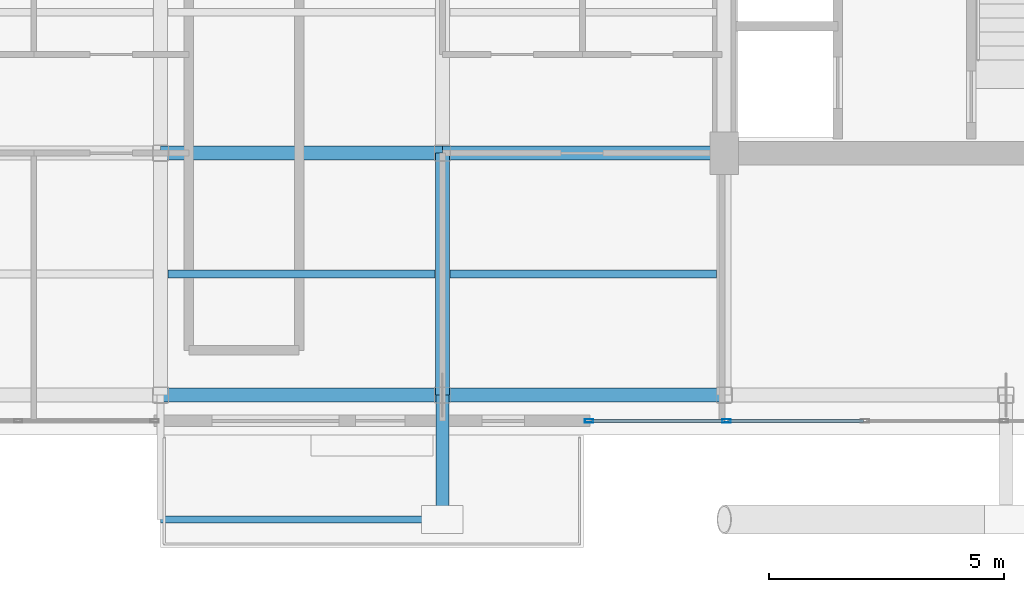
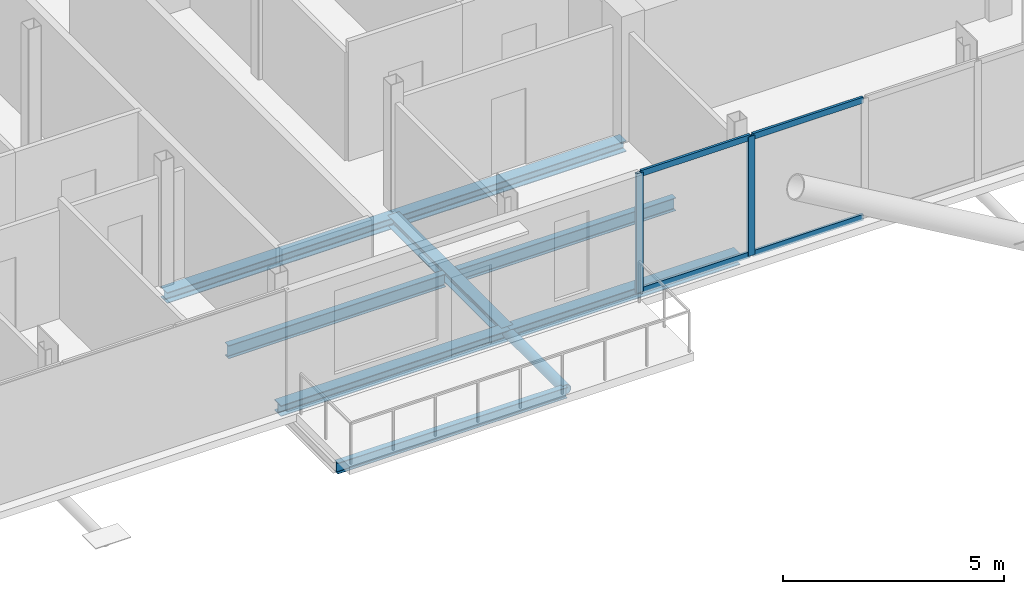
# One storey, part 4 of 18: 8 beams, 7 members, 1 element without a shape of its own.
"""IFC4 building model written with IfcOpenShell, lengths in metres."""

from ifc_helpers import new_model, si_unit, direction, frame, origin, origin_2d, place, context, subcontext, project, spatial, hollow_rectangle, hollow_circle, i_section, extrude, material, layer, layer_set, material_profile, profile_set, type_object, element, aggregate, save


model = new_model("IFC4")

# Units and contexts
model_context = context("Model", 3, precision=1e-05, world=origin(), true_north=direction((0.0, 1.0)))
body_context = subcontext(model_context, "Body", "Model", "MODEL_VIEW")
ifc_project = project(units=[si_unit("LENGTHUNIT", "METRE"), si_unit("AREAUNIT", "SQUARE_METRE"), si_unit("VOLUMEUNIT", "CUBIC_METRE"), si_unit("PLANEANGLEUNIT", "RADIAN"), si_unit("MASSUNIT", "GRAM", prefix="KILO"), si_unit("THERMODYNAMICTEMPERATUREUNIT", "KELVIN"), si_unit("POWERUNIT", "WATT")], contexts=[model_context])

# Site, building, storey
site_placement = place(None, origin())
site = spatial("IfcSite", under=ifc_project, at=site_placement, CompositionType="ELEMENT")
building_placement = place(site_placement, origin())
building = spatial("IfcBuilding", under=site, at=building_placement, Name="Svarakhadi Broadcast Tower", CompositionType="ELEMENT")
storey_placement = place(building_placement, frame((0.0, 0.0, 250.199951171875)))
storey = spatial("IfcBuildingStorey", under=building, at=storey_placement, Name="L62", CompositionType="ELEMENT", Elevation=250.199951171875)

# Beams
ifc_material_1 = material(Name="Steel S355J2 (IS 2062 E350C)", Category="steel")
ifc_material_profile_1 = material_profile(ifc_material_1, i_section(OverallWidth=0.169921875, OverallDepth=0.360107421875, WebThickness=0.008056640625, FlangeThickness=0.0126953125, FilletRadius=0.01806640625, at=origin_2d()), Name="NPB 360x170x57")
ifc_profile_set_1 = profile_set([ifc_material_profile_1], Name="Steel S355J2 (IS 2062 E350C)")
beam_type_1 = type_object("IfcBeamType", Name="Beam_NPB360", PredefinedType="BEAM", material=ifc_profile_set_1)
for number, where, z_axis, x_axis, name in (
    (1, (12.159912109375, 3.425048828125, -0.3798828125), (1.0, 0.0, 0.0), (0.0, 1.0, 0.0), "L62 Secondary Composite Beam SB007"),
    (2, (18.159912109375, 3.425048828125, -0.3798828125), (1.0, 0.0, 0.0), (0.0, 1.0, 0.0), "L62 Secondary Composite Beam SB010"),
):
    element("IfcBeam", number, at=place(storey_placement, frame(where, z_axis=z_axis, x_axis=x_axis)), inside=storey, type_object=beam_type_1, Name=name, PredefinedType="BEAM", context=body_context, shape_type="SweptSolid", body=[
        extrude(i_section(OverallWidth=0.169921875, OverallDepth=0.360107421875, WebThickness=0.008056640625, FlangeThickness=0.0126953125, FilletRadius=0.01806640625, at=origin_2d()), origin(), (0.0, 0.0, 1.0), 5.68017578125),
    ])

# Curtain wall, members
ifc_material_2 = material(Name="Anodised Bronze Aluminium AA 6063-T6", Category="aluminium")
ifc_layer = layer(ifc_material_2, 0.179931640625)
ifc_layer_set = layer_set([ifc_layer], Name="Anodised Bronze Aluminium AA 6063-T6")
curtain_wall_type = type_object("IfcCurtainWallType", Name="CW_Sys_05", PredefinedType="NOTDEFINED", material=ifc_layer_set)
curtain_wall_placement = place(storey_placement, origin())
curtain_wall = element("IfcCurtainWall", 3, at=curtain_wall_placement, inside=storey, type_object=curtain_wall_type, Name="L62 South Curtain Wall 16", PredefinedType="NOTDEFINED")
ifc_material_profile_2 = material_profile(ifc_material_2, hollow_rectangle(XDim=0.070068359375, YDim=0.179931640625, WallThickness=0.005615234375, at=origin_2d()), Name="ALU MULLION 180x70x6")
ifc_profile_set_2 = profile_set([ifc_material_profile_2], Name="Anodised Bronze Aluminium AA 6063-T6")
member_type_1 = type_object("IfcMemberType", Name="CW_Sys_05_Mul", PredefinedType="MULLION", material=ifc_profile_set_2)
member_1_placement = place(storey_placement, frame((24.044921875, 0.300048828125, 0.0), z_axis=(0.0, 0.0, 1.0), x_axis=(0.0, -1.0, 0.0)))
member_1 = element("IfcMember", 4, at=member_1_placement, type_object=member_type_1, Name="CW-05 mullion 4", PredefinedType="MULLION", context=body_context, shape_type="SweptSolid", body=[
    extrude(hollow_rectangle(XDim=0.070068359375, YDim=0.179931640625, WallThickness=0.005615234375, at=origin_2d()), origin(), (0.0, 0.0, 1.0), 3.300048828125),
])
member_2_placement = place(storey_placement, frame((21.125, 0.300048828125, 0.0), z_axis=(0.0, 0.0, 1.0), x_axis=(0.0, -1.0, 0.0)))
member_2 = element("IfcMember", 5, at=member_2_placement, type_object=member_type_1, Name="CW-05 mullion 5", PredefinedType="MULLION", context=body_context, shape_type="SweptSolid", body=[
    extrude(hollow_rectangle(XDim=0.070068359375, YDim=0.179931640625, WallThickness=0.005615234375, at=origin_2d()), origin(), (0.0, 0.0, 1.0), 3.300048828125),
])
ifc_material_profile_3 = material_profile(ifc_material_2, hollow_rectangle(XDim=0.06494140625, YDim=0.1650390625, WallThickness=0.0048828125, at=origin_2d()), Name="ALU TRANSOM 165x65x5")
ifc_profile_set_3 = profile_set([ifc_material_profile_3], Name="Anodised Bronze Aluminium AA 6063-T6")
member_type_2 = type_object("IfcMemberType", Name="CW_Sys_05_Trn", PredefinedType="USERDEFINED", material=ifc_profile_set_3)
member_3_placement = place(storey_placement, frame((26.965087890625, 0.300048828125, 0.032470703125), z_axis=(-1.0, 0.0, 0.0), x_axis=(0.0, -1.0, 0.0)))
member_3 = element("IfcMember", 6, at=member_3_placement, type_object=member_type_2, Name="CW-05 transom 3.1", ObjectType="TRANSOM", PredefinedType="USERDEFINED", context=body_context, shape_type="SweptSolid", body=[
    extrude(hollow_rectangle(XDim=0.06494140625, YDim=0.1650390625, WallThickness=0.0048828125, at=origin_2d()), origin(), (0.0, 0.0, 1.0), 2.885009765625),
])
member_4_placement = place(storey_placement, frame((26.965087890625, 0.300048828125, 3.267578125), z_axis=(-1.0, 0.0, 0.0), x_axis=(0.0, -1.0, 0.0)))
member_4 = element("IfcMember", 7, at=member_4_placement, type_object=member_type_2, Name="CW-05 transom 3.2", ObjectType="TRANSOM", PredefinedType="USERDEFINED", context=body_context, shape_type="SweptSolid", body=[
    extrude(hollow_rectangle(XDim=0.06494140625, YDim=0.1650390625, WallThickness=0.0048828125, at=origin_2d()), origin(), (0.0, 0.0, 1.0), 2.885009765625),
])
member_5_placement = place(storey_placement, frame((24.010009765625, 0.300048828125, 0.032470703125), z_axis=(-1.0, 0.0, 0.0), x_axis=(0.0, -1.0, 0.0)))
member_5 = element("IfcMember", 8, at=member_5_placement, type_object=member_type_2, Name="CW-05 transom 4.1", ObjectType="TRANSOM", PredefinedType="USERDEFINED", context=body_context, shape_type="SweptSolid", body=[
    extrude(hollow_rectangle(XDim=0.06494140625, YDim=0.1650390625, WallThickness=0.0048828125, at=origin_2d()), origin(), (0.0, 0.0, 1.0), 2.85009765625),
])
member_6_placement = place(storey_placement, frame((24.010009765625, 0.300048828125, 3.267578125), z_axis=(-1.0, 0.0, 0.0), x_axis=(0.0, -1.0, 0.0)))
member_6 = element("IfcMember", 9, at=member_6_placement, type_object=member_type_2, Name="CW-05 transom 4.2", ObjectType="TRANSOM", PredefinedType="USERDEFINED", context=body_context, shape_type="SweptSolid", body=[
    extrude(hollow_rectangle(XDim=0.06494140625, YDim=0.1650390625, WallThickness=0.0048828125, at=origin_2d()), origin(), (0.0, 0.0, 1.0), 2.85009765625),
])
aggregate(curtain_wall, [member_1, member_2, member_3, member_4, member_5, member_6])

# Member
ifc_material_3 = material(Name="Steel S460ML (IS 2062 E450BR)", Category="steel")
ifc_material_profile_4 = material_profile(ifc_material_3, hollow_circle(Radius=0.136474609375, WallThickness=0.012451171875, at=origin_2d()), Name="CHS 273x12.5")
ifc_profile_set_4 = profile_set([ifc_material_profile_4], Name="Steel S460ML (IS 2062 E450BR)")
member_type_3 = type_object("IfcMemberType", Name="Exo_Radial_Strut_Z3", PredefinedType="STRUT", material=ifc_profile_set_4)
member_7_placement = place(storey_placement, frame((18.0, -1.800048828125, -0.33642578125), z_axis=(0.0, 1.0, 0.0), x_axis=(-1.0, 0.0, 0.0)))
element("IfcMember", 10, at=member_7_placement, inside=storey, type_object=member_type_3, Name="L62 Exoskeleton Radial Tie Strut S02", PredefinedType="STRUT", context=body_context, shape_type="SweptSolid", body=[
    extrude(hollow_circle(Radius=0.136474609375, WallThickness=0.012451171875, at=origin_2d()), origin(), (0.0, 0.0, 1.0), 2.650146484375),
])

# Beams
ifc_material_profile_5 = material_profile(ifc_material_1, i_section(OverallWidth=0.300048828125, OverallDepth=0.300048828125, WebThickness=0.010986328125, FlangeThickness=0.01904296875, FilletRadius=0.027099609375, at=origin_2d()), Name="WPB 300x300x117")
ifc_profile_set_5 = profile_set([ifc_material_profile_5], Name="Steel S355J2 (IS 2062 E350C)")
beam_type_2 = type_object("IfcBeamType", Name="Girder_WPB300", PredefinedType="USERDEFINED", material=ifc_profile_set_5)
for number, where, z_axis, x_axis, name in (
    (11, (12.0, 0.85009765625, -0.349853515625), (1.0, 0.0, 0.0), (0.0, 1.0, 0.0), "L62 Primary E-W Girder G005"),
    (12, (18.0, 0.85009765625, -0.349853515625), (1.0, 0.0, 0.0), (0.0, 1.0, 0.0), "L62 Primary E-W Girder G006"),
    (13, (12.0, 6.0, -0.349853515625), (1.0, 0.0, 0.0), (0.0, 1.0, 0.0), "L62 Primary E-W Girder G010"),
    (14, (18.0, 6.0, -0.349853515625), (1.0, 0.0, 0.0), (0.0, 1.0, 0.0), "L62 Primary E-W Girder G011"),
):
    element("IfcBeam", number, at=place(storey_placement, frame(where, z_axis=z_axis, x_axis=x_axis)), inside=storey, type_object=beam_type_2, Name=name, ObjectType="GIRDER", PredefinedType="USERDEFINED", context=body_context, shape_type="SweptSolid", body=[
        extrude(i_section(OverallWidth=0.300048828125, OverallDepth=0.300048828125, WebThickness=0.010986328125, FlangeThickness=0.01904296875, FilletRadius=0.027099609375, at=origin_2d()), origin(), (0.0, 0.0, 1.0), 6.0),
    ])
beam_1_placement = place(storey_placement, frame((18.0, 0.85009765625, -0.349853515625), z_axis=(0.0, 1.0, 0.0), x_axis=(-1.0, 0.0, 0.0)))
element("IfcBeam", 15, at=beam_1_placement, inside=storey, type_object=beam_type_2, Name="L62 Primary N-S Girder G036", ObjectType="GIRDER", PredefinedType="USERDEFINED", context=body_context, shape_type="SweptSolid", body=[
    extrude(i_section(OverallWidth=0.300048828125, OverallDepth=0.300048828125, WebThickness=0.010986328125, FlangeThickness=0.01904296875, FilletRadius=0.027099609375, at=origin_2d()), origin(), (0.0, 0.0, 1.0), 5.14990234375),
])
ifc_material_profile_6 = material_profile(ifc_material_1, i_section(OverallWidth=0.14990234375, OverallDepth=0.300048828125, WebThickness=0.007080078125, FlangeThickness=0.0107421875, FilletRadius=0.014892578125, at=origin_2d()), Name="NPB 300x150x37")
ifc_profile_set_6 = profile_set([ifc_material_profile_6], Name="Steel S355J2 (IS 2062 E350C)")
beam_type_3 = type_object("IfcBeamType", Name="Spandrel_NPB300", PredefinedType="SPANDREL", material=ifc_profile_set_6)
beam_2_placement = place(storey_placement, frame((12.0, -1.800048828125, -0.375), z_axis=(1.0, 0.0, 0.0), x_axis=(0.0, 1.0, 0.0)))
element("IfcBeam", 16, at=beam_2_placement, inside=storey, type_object=beam_type_3, Name="L62 Balcony Outer Spandrel 1F", PredefinedType="SPANDREL", context=body_context, shape_type="SweptSolid", body=[
    extrude(i_section(OverallWidth=0.14990234375, OverallDepth=0.300048828125, WebThickness=0.007080078125, FlangeThickness=0.0107421875, FilletRadius=0.014892578125, at=origin_2d()), origin(), (0.0, 0.0, 1.0), 6.0),
])

save(model, "model.ifc")
